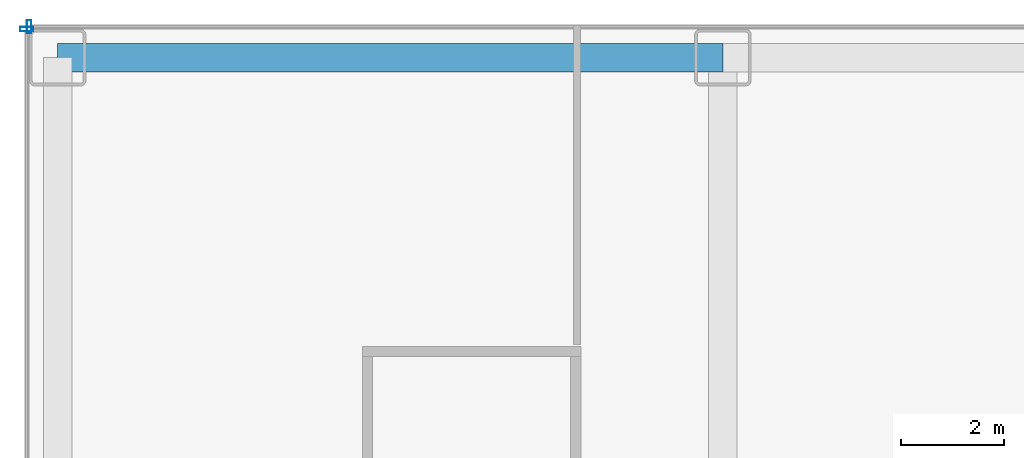
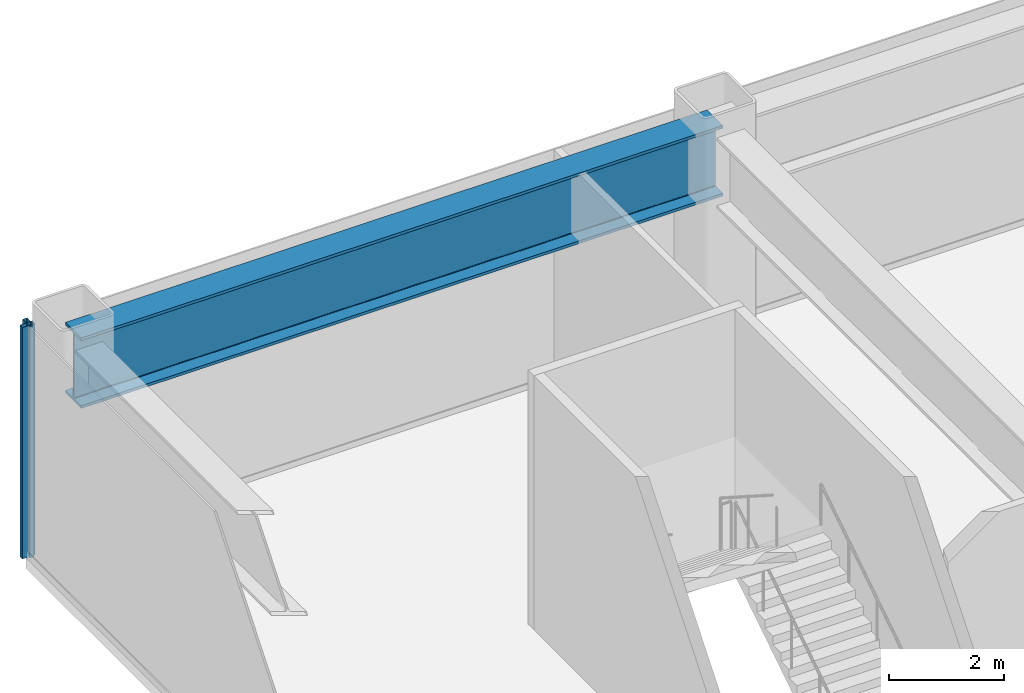
# One storey, part 8 of 24: 2 members, 1 beam, 2 elements without a shape of their own.
"""IFC4 building model written with IfcOpenShell, lengths in metres."""

from ifc_helpers import new_model, si_unit, direction, frame, origin, origin_2d, place, context, subcontext, project, spatial, hollow_rectangle, i_section, extrude, source, transform, mapped, material, layer, layer_set, material_profile, profile_set, type_object, element, aggregate, save


model = new_model("IFC4")

# Units and contexts
model_context = context("Model", 3, precision=1e-05, world=origin(), true_north=direction((0.0, 1.0)))
body_context = subcontext(model_context, "Body", "Model", "MODEL_VIEW")
ifc_project = project(units=[si_unit("LENGTHUNIT", "METRE"), si_unit("AREAUNIT", "SQUARE_METRE"), si_unit("VOLUMEUNIT", "CUBIC_METRE"), si_unit("PLANEANGLEUNIT", "RADIAN"), si_unit("MASSUNIT", "GRAM", prefix="KILO")], contexts=[model_context])

# Site, building, storey
site_placement = place(None, origin())
site = spatial("IfcSite", under=ifc_project, at=site_placement, CompositionType="ELEMENT")
building_placement = place(site_placement, origin())
building = spatial("IfcBuilding", under=site, at=building_placement, Name="Nefas-Gora Pilgrimage Tower", CompositionType="ELEMENT")
storey_placement = place(building_placement, frame((0.0, 0.0, 22.199951171875)))
storey = spatial("IfcBuildingStorey", under=building, at=storey_placement, Name="L04", CompositionType="ELEMENT", Elevation=22.199951171875)

# Beam
ifc_material_1 = material(Name="Steel S460", Category="steel")
ifc_material_profile_1 = material_profile(ifc_material_1, i_section(OverallWidth=0.550048828125, OverallDepth=1.5, WebThickness=0.031982421875, FlangeThickness=0.06005859375, FilletRadius=0.02392578125, at=origin_2d()), Name="WPG 1500x550x32x60")
ifc_profile_set_1 = profile_set([ifc_material_profile_1], Name="Steel S460")
beam_type = type_object("IfcBeamType", Name="BM-TR-1500E", PredefinedType="BEAM", material=ifc_profile_set_1)
shared_shape_1 = source(origin(), body_context, "Body", "SweptSolid", [
    extrude(i_section(OverallWidth=0.550048828125, OverallDepth=1.5, WebThickness=0.031982421875, FlangeThickness=0.06005859375, FilletRadius=0.02392578125, at=origin_2d()), origin(), (0.0, 0.0, 1.0), 12.89990234375),
])
beam_placement = place(storey_placement, frame((-37.64990234375, 24.60009765625, 4.170166015625), z_axis=(1.0, 0.0, 0.0), x_axis=(0.0, 1.0, 0.0)))
element("IfcBeam", 1, at=beam_placement, inside=storey, type_object=beam_type, Name="L04 TB-01E beam", PredefinedType="BEAM", context=body_context, shape_type="MappedRepresentation", body=[
    mapped(shared_shape_1, transform((0.0, 0.0, 0.0), x_axis=(1.0, 0.0, 0.0), y_axis=(0.0, 1.0, 0.0), z_axis=(0.0, 0.0, 1.0), scale=1.0)),
])

# Curtain wall, member
ifc_material_2 = material(Name="Dark ceramic-fritted solar-control aluminium-glass curtain wall", Category="aluminium")
ifc_layer = layer(ifc_material_2, 0.219970703125)
ifc_layer_set = layer_set([ifc_layer], Name="Dark ceramic-fritted solar-control aluminium-glass curtain wall")
curtain_wall_type = type_object("IfcCurtainWallType", Name="CW-SYS-1", PredefinedType="NOTDEFINED", material=ifc_layer_set)
curtain_wall_1_placement = place(storey_placement, origin())
curtain_wall_1 = element("IfcCurtainWall", 2, at=curtain_wall_1_placement, inside=storey, type_object=curtain_wall_type, Name="L04 Unitised Curtain Wall CW1", PredefinedType="NOTDEFINED")
ifc_material_3 = material(Name="Anodised architectural aluminium", Category="aluminium")
ifc_material_profile_2 = material_profile(ifc_material_3, hollow_rectangle(XDim=0.090087890625, YDim=0.260009765625, WallThickness=0.006103515625, InnerFilletRadius=0.006103515625, OuterFilletRadius=0.011962890625, at=origin_2d()), Name="ALU MULLION 90x260")
ifc_profile_set_2 = profile_set([ifc_material_profile_2], Name="Anodised architectural aluminium")
member_type = type_object("IfcMemberType", Name="CWM-MUL-1", PredefinedType="MULLION", material=ifc_profile_set_2)
shared_shape_2 = source(origin(), body_context, "Body", "SweptSolid", [
    extrude(hollow_rectangle(XDim=0.090087890625, YDim=0.260009765625, WallThickness=0.006103515625, InnerFilletRadius=0.006103515625, OuterFilletRadius=0.011962890625, at=origin_2d()), origin(), (0.0, 0.0, 1.0), 4.920166015625),
])
member_1_placement = place(storey_placement, frame((-38.205078125, 25.199951171875, 0.0), z_axis=(0.0, 0.0, 1.0), x_axis=(-1.0, 0.0, 0.0)))
member_1 = element("IfcMember", 3, at=member_1_placement, type_object=member_type, Name="CW1 Mullion 3", PredefinedType="MULLION", context=body_context, shape_type="MappedRepresentation", body=[
    mapped(shared_shape_2, transform((0.0, 0.0, 0.0), x_axis=(1.0, 0.0, 0.0), y_axis=(0.0, 1.0, 0.0), z_axis=(0.0, 0.0, 1.0), scale=1.0)),
])
aggregate(curtain_wall_1, [member_1])

curtain_wall_2_placement = place(storey_placement, origin())
curtain_wall_2 = element("IfcCurtainWall", 4, at=curtain_wall_2_placement, inside=storey, type_object=curtain_wall_type, Name="L04 Unitised Curtain Wall CW1", PredefinedType="NOTDEFINED")
member_2_placement = place(storey_placement, frame((-38.25, 25.155029296875, 0.0), z_axis=(0.0, 0.0, 1.0), x_axis=(0.0, -1.0, 0.0)))
member_2 = element("IfcMember", 5, at=member_2_placement, type_object=member_type, Name="CW1 Mullion 1", PredefinedType="MULLION", context=body_context, shape_type="MappedRepresentation", body=[
    mapped(shared_shape_2, transform((0.0, 0.0, 0.0), x_axis=(1.0, 0.0, 0.0), y_axis=(0.0, 1.0, 0.0), z_axis=(0.0, 0.0, 1.0), scale=1.0)),
])
aggregate(curtain_wall_2, [member_2])

save(model, "model.ifc")
